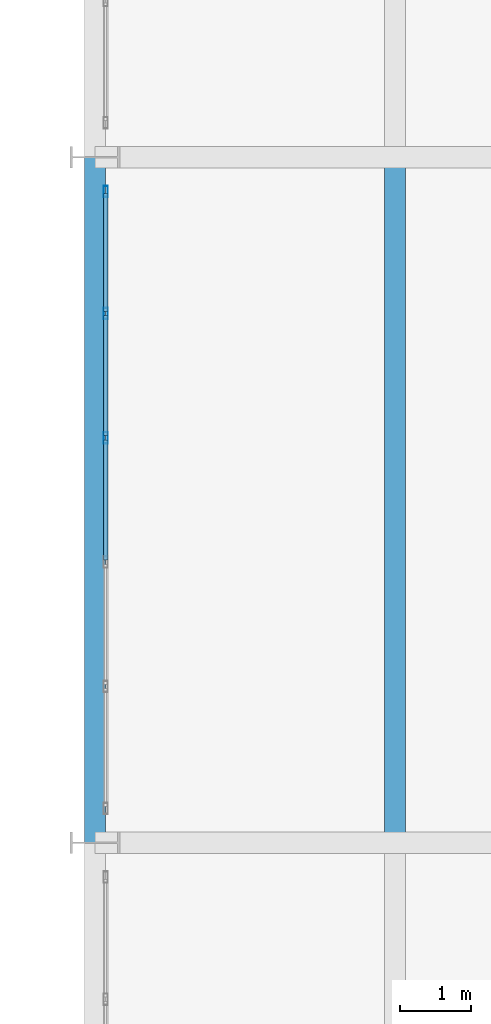
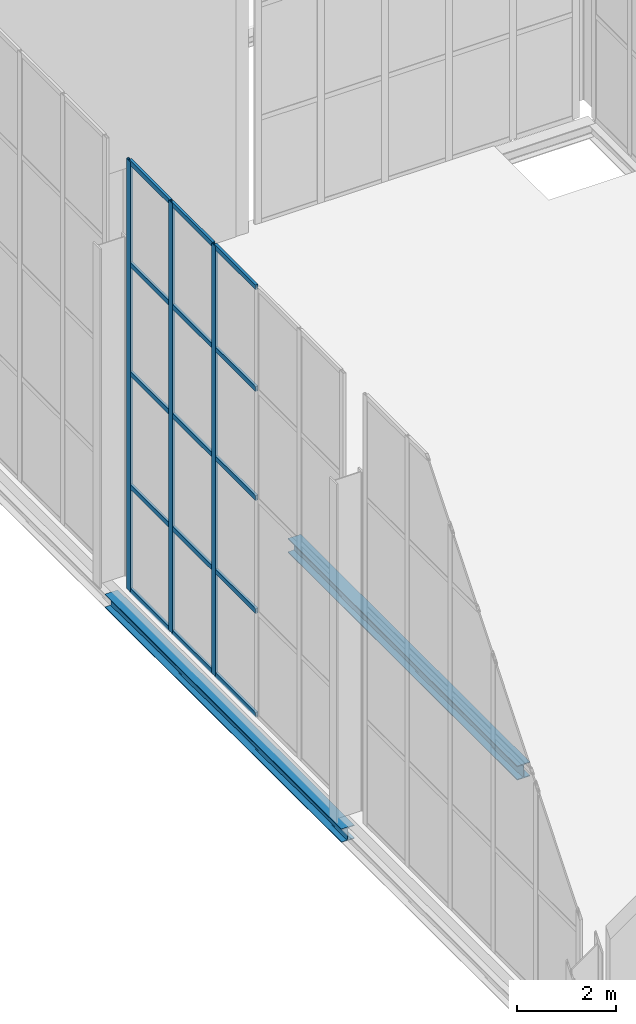
# One storey, part 48 of 131: 18 members, 2 beams, 1 element without a shape of its own.
"""IFC4 building model written with IfcOpenShell, lengths in metres."""

import ifcopenshell
import ifcopenshell.guid

model = None  # the IFC model being written
_history = None  # IfcOwnerHistory: only IFC2X3 demands one
_inside = {}  # id of a spatial element -> (the spatial element, [elements in it])
_under = {}  # id of a project, library or spatial element -> (it, [spatial elements below it])
_declared = {}  # id of a project -> (the project, [libraries it declares])
_typed = {}  # id of a type object -> (the type object, [elements of that type])
_made_of = {}  # id of a material, layer set ... -> (it, [elements and type objects made of it])


def new_model(schema):
    """Start an empty IFC model of exactly this schema.

    Asked for "IFC4X3", IfcOpenShell would pick the latest addendum, in which some entities
    have other attributes; the version numbers below select the first issue.
    IFC2X3 requires an IfcOwnerHistory on every rooted entity: one is made here for all.
    """
    global model, _history
    if schema == "IFC4X3":
        model = ifcopenshell.file(schema_version=(4, 3, 0, 0))
    else:
        model = ifcopenshell.file(schema=schema)
    _inside.clear()
    _under.clear()
    _declared.clear()
    _typed.clear()
    _made_of.clear()
    _history = None
    if model.schema == "IFC2X3":
        org = make("IfcOrganization", Name="unknown")
        user = make(
            "IfcPersonAndOrganization",
            ThePerson=make("IfcPerson", FamilyName="unknown"),
            TheOrganization=org,
        )
        app = make(
            "IfcApplication",
            ApplicationDeveloper=org,
            Version="unknown",
            ApplicationFullName="unknown",
            ApplicationIdentifier="unknown",
        )
        _history = make(
            "IfcOwnerHistory",
            OwningUser=user,
            OwningApplication=app,
            ChangeAction="ADDED",
            CreationDate=0,
        )
    return model


def make(cls, **values):
    """One entity of the class cls with the attributes given. An attribute that is None is left unset."""
    return model.create_entity(
        cls, **{name: value for name, value in values.items() if value is not None}
    )


def rooted(cls, **values):
    """An entity with a GlobalId (a new one), such as an element, a storey or a relation."""
    return make(cls, GlobalId=ifcopenshell.guid.new(), OwnerHistory=_history, **values)


def si_unit(unit_type, name, prefix=None):
    """IfcSIUnit, for example si_unit("LENGTHUNIT", "METRE", prefix="MILLI")."""
    return make("IfcSIUnit", UnitType=unit_type, Prefix=prefix, Name=name)


def assignment(units):
    """IfcUnitAssignment: the units of a project."""
    return None if units is None else make("IfcUnitAssignment", Units=units)


def point(xyz):
    """IfcCartesianPoint."""
    return None if xyz is None else make("IfcCartesianPoint", Coordinates=xyz)


def direction(xyz):
    """IfcDirection."""
    return None if xyz is None else make("IfcDirection", DirectionRatios=xyz)


def frame(location, z_axis=None, x_axis=None):
    """IfcAxis2Placement3D, a coordinate frame: its origin and axes. An axis left out is left unset."""
    return make(
        "IfcAxis2Placement3D",
        Location=point(location),
        Axis=direction(z_axis),
        RefDirection=direction(x_axis),
    )


def frame_2d(location, x_axis=None):
    """IfcAxis2Placement2D, a coordinate frame in the plane: its origin and x axis."""
    return make(
        "IfcAxis2Placement2D", Location=point(location), RefDirection=direction(x_axis)
    )


def origin():
    """The frame at (0, 0, 0) with its axes left unset."""
    return frame((0.0, 0.0, 0.0))


def origin_2d():
    """The frame at (0, 0) in the plane with its x axis left unset."""
    return frame_2d((0.0, 0.0))


def place(relative_to, where):
    """IfcLocalPlacement: puts the frame where relative to a parent placement (None: the world)."""
    return make(
        "IfcLocalPlacement", PlacementRelTo=relative_to, RelativePlacement=where
    )


def context(
    kind, dimensions, precision=None, world=None, true_north=None, identifier=None
):
    """IfcGeometricRepresentationContext, for example the 3D "Model" context."""
    return make(
        "IfcGeometricRepresentationContext",
        ContextIdentifier=identifier,
        ContextType=kind,
        CoordinateSpaceDimension=dimensions,
        Precision=precision,
        WorldCoordinateSystem=world,
        TrueNorth=true_north,
    )


def subcontext(parent, identifier, kind, view, scale=None):
    """IfcGeometricRepresentationSubContext, for example "Body" below "Model"."""
    return make(
        "IfcGeometricRepresentationSubContext",
        ContextIdentifier=identifier,
        ContextType=kind,
        ParentContext=parent,
        TargetScale=scale,
        TargetView=view,
    )


def project(units=None, contexts=None):
    """IfcProject with its units and contexts."""
    return rooted(
        "IfcProject",
        Name="project",
        RepresentationContexts=contexts,
        UnitsInContext=assignment(units),
    )


def spatial(cls, under=None, at=None, **own):
    """A site, building, storey or space (cls), placed at a placement, below another one or the project."""
    s = rooted(cls, ObjectPlacement=at, **own)
    if under is not None:
        _under.setdefault(under.id(), (under, []))[1].append(s)
    return s


def profile(cls, at=None, kind="AREA", **sizes):
    """A parametric profile (cls). Its sizes go by their IFC names, for example OverallWidth=200.0."""
    return make(cls, ProfileType=kind, Position=at, **sizes)


def hollow_rectangle(**sizes):
    """IfcRectangleHollowProfileDef."""
    return profile("IfcRectangleHollowProfileDef", **sizes)


def i_section(**sizes):
    """IfcIShapeProfileDef."""
    return profile("IfcIShapeProfileDef", **sizes)


def extrude(swept, where, along, depth):
    """IfcExtrudedAreaSolid: the profile swept, set in the frame where, extruded along a direction by depth."""
    return make(
        "IfcExtrudedAreaSolid",
        SweptArea=swept,
        Position=where,
        ExtrudedDirection=direction(along),
        Depth=depth,
    )


def shape(context_of_items, identifier, shape_type, items):
    """IfcShapeRepresentation: the items that make up one representation, for example the "Body"."""
    return make(
        "IfcShapeRepresentation",
        ContextOfItems=context_of_items,
        RepresentationIdentifier=identifier,
        RepresentationType=shape_type,
        Items=items,
    )


def material(Name=None, Category=None):
    """IfcMaterial."""
    return make("IfcMaterial", Name=Name, Category=Category)


def material_profile(
    of_material, cross_section, Name=None, Category=None, Priority=None
):
    """IfcMaterialProfile: a cross section and its material."""
    return make(
        "IfcMaterialProfile",
        Name=Name,
        Material=of_material,
        Profile=cross_section,
        Priority=Priority,
        Category=Category,
    )


def profile_set(profiles, Name=None, composite=None):
    """IfcMaterialProfileSet."""
    return make(
        "IfcMaterialProfileSet",
        Name=Name,
        MaterialProfiles=profiles,
        CompositeProfile=composite,
    )


def made_of(thing, what):
    """Note that an element or type object is made of a material, layer set ...; save() writes the relation."""
    if what is not None:
        _made_of.setdefault(what.id(), (what, []))[1].append(thing)
    return thing


def type_object(cls, material=None, **own):
    """A type object (cls), such as IfcWallType, which elements share."""
    return made_of(rooted(cls, **own), material)


def element(
    cls,
    number,
    at=None,
    inside=None,
    cuts=None,
    type_object=None,
    material=None,
    context=None,
    identifier="Body",
    shape_type=None,
    held_by="IfcProductDefinitionShape",
    body=None,
    shapes=None,
    **own,
):
    """One element of the class cls, such as IfcWall. Its Tag is "e" and its number.

    at: its placement. inside: the storey or other place that contains it. cuts: it is an
    opening in that element (IfcRelVoidsElement). A single representation is given by context,
    identifier, shape_type and body (its items); several are given by shapes. held_by: the class
    of the entity that holds the representations. save() writes the other relations.
    """
    e = rooted(cls, Tag="e%d" % number, ObjectPlacement=at, **own)
    if body is not None:
        shapes = [shape(context, identifier, shape_type, body)]
    if shapes is not None:
        e.Representation = make(held_by, Representations=shapes)
    if inside is not None:
        _inside.setdefault(inside.id(), (inside, []))[1].append(e)
    if cuts is not None:
        rooted(
            "IfcRelVoidsElement", RelatingBuildingElement=cuts, RelatedOpeningElement=e
        )
    if type_object is not None:
        _typed.setdefault(type_object.id(), (type_object, []))[1].append(e)
    return made_of(e, material)


def aggregate(whole, parts):
    """IfcRelAggregates: a whole, such as a stair, and the parts it consists of."""
    return rooted("IfcRelAggregates", RelatingObject=whole, RelatedObjects=parts)


def save(model, path):
    """Write the relations noted so far, then the file.

    IfcRelAggregates (storeys below a building ...), IfcRelContainedInSpatialStructure (elements
    in a storey), IfcRelDefinesByType, IfcRelAssociatesMaterial and IfcRelDeclares: one each for
    every whole, place, type object, material and project.
    """
    for whole, parts in _under.values():
        aggregate(whole, parts)
    for where, things in _inside.values():
        rooted(
            "IfcRelContainedInSpatialStructure",
            RelatedElements=things,
            RelatingStructure=where,
        )
    for kind, things in _typed.values():
        rooted("IfcRelDefinesByType", RelatedObjects=things, RelatingType=kind)
    for what, things in _made_of.values():
        rooted("IfcRelAssociatesMaterial", RelatedObjects=things, RelatingMaterial=what)
    for by, libraries in _declared.values():
        rooted("IfcRelDeclares", RelatingContext=by, RelatedDefinitions=libraries)
    model.write(path)


model = new_model("IFC4")

# Units and contexts
model_context = context("Model", 3, precision=1e-05, world=origin(), true_north=direction((0.0, 1.0)))
body_context = subcontext(model_context, "Body", "Model", "MODEL_VIEW")
ifc_project = project(units=[si_unit("LENGTHUNIT", "METRE"), si_unit("AREAUNIT", "SQUARE_METRE"), si_unit("VOLUMEUNIT", "CUBIC_METRE"), si_unit("PLANEANGLEUNIT", "RADIAN"), si_unit("MASSUNIT", "GRAM", prefix="KILO")], contexts=[model_context])

# Site, building, storey
site_placement = place(None, origin())
site = spatial("IfcSite", under=ifc_project, at=site_placement, CompositionType="ELEMENT")
building_placement = place(site_placement, origin())
building = spatial("IfcBuilding", under=site, at=building_placement, Name="Veltarok Museum of Natural Sciences", CompositionType="ELEMENT")
storey_placement = place(building_placement, origin())
storey = spatial("IfcBuildingStorey", under=building, at=storey_placement, Name="L00", CompositionType="ELEMENT", Elevation=0.0)

# Curtain wall, members
ifc_material_1 = material(Name="Low-iron triple insulated glass", Category="glass")
curtain_wall_type = type_object("IfcCurtainWallType", Name="Curtain Wall System CW-PAS-NW-JK-870x1065 (Sculpture Court Passage J-K 870x1065cm)", PredefinedType="NOTDEFINED", material=ifc_material_1)
curtain_wall_placement = place(storey_placement, origin())
curtain_wall = element("IfcCurtainWall", 1, at=curtain_wall_placement, inside=storey, type_object=curtain_wall_type, Name="Curtain Wall CW-PAS-NW-JK-870x1065 CW-0025", PredefinedType="NOTDEFINED")
ifc_material_2 = material(Name="Thermally broken anodised aluminium", Category="aluminium")
ifc_material_profile_1 = material_profile(ifc_material_2, hollow_rectangle(XDim=0.06005859375, YDim=0.1201171875, WallThickness=0.0048828125, at=origin_2d()), Name="CW TRANSOM 60x120x5")
ifc_profile_set_1 = profile_set([ifc_material_profile_1], Name="Thermally broken anodised aluminium")
member_type_1 = type_object("IfcMemberType", Name="Curtain Wall Horizontal Transom 60x120x5", PredefinedType="USERDEFINED", material=ifc_profile_set_1)
member_1_placement = place(storey_placement, frame((31.75, 85.56005859375, 0.030029296875), z_axis=(0.0, 1.0, 0.0), x_axis=(-1.0, 0.0, 0.0)))
member_1 = element("IfcMember", 2, at=member_1_placement, type_object=member_type_1, Name="CW-PAS-NW-JK-870x1065 transom 3.1", ObjectType="TRANSOM", PredefinedType="USERDEFINED", context=body_context, shape_type="SweptSolid", body=[
    extrude(hollow_rectangle(XDim=0.06005859375, YDim=0.1201171875, WallThickness=0.0048828125, at=origin_2d()), origin(), (0.0, 0.0, 1.0), 1.679931640625),
])
member_2_placement = place(storey_placement, frame((31.75, 85.56005859375, 2.60009765625), z_axis=(0.0, 1.0, 0.0), x_axis=(-1.0, 0.0, 0.0)))
member_2 = element("IfcMember", 3, at=member_2_placement, type_object=member_type_1, Name="CW-PAS-NW-JK-870x1065 transom 3.2", ObjectType="TRANSOM", PredefinedType="USERDEFINED", context=body_context, shape_type="SweptSolid", body=[
    extrude(hollow_rectangle(XDim=0.06005859375, YDim=0.1201171875, WallThickness=0.0048828125, at=origin_2d()), origin(), (0.0, 0.0, 1.0), 1.679931640625),
])
member_3_placement = place(storey_placement, frame((31.75, 85.56005859375, 5.39990234375), z_axis=(0.0, 1.0, 0.0), x_axis=(-1.0, 0.0, 0.0)))
member_3 = element("IfcMember", 4, at=member_3_placement, type_object=member_type_1, Name="CW-PAS-NW-JK-870x1065 transom 3.3", ObjectType="TRANSOM", PredefinedType="USERDEFINED", context=body_context, shape_type="SweptSolid", body=[
    extrude(hollow_rectangle(XDim=0.06005859375, YDim=0.1201171875, WallThickness=0.0048828125, at=origin_2d()), origin(), (0.0, 0.0, 1.0), 1.679931640625),
])
member_4_placement = place(storey_placement, frame((31.75, 85.56005859375, 8.10009765625), z_axis=(0.0, 1.0, 0.0), x_axis=(-1.0, 0.0, 0.0)))
member_4 = element("IfcMember", 5, at=member_4_placement, type_object=member_type_1, Name="CW-PAS-NW-JK-870x1065 transom 3.4", ObjectType="TRANSOM", PredefinedType="USERDEFINED", context=body_context, shape_type="SweptSolid", body=[
    extrude(hollow_rectangle(XDim=0.06005859375, YDim=0.1201171875, WallThickness=0.0048828125, at=origin_2d()), origin(), (0.0, 0.0, 1.0), 1.679931640625),
])
member_5_placement = place(storey_placement, frame((31.75, 85.56005859375, 10.6201171875), z_axis=(0.0, 1.0, 0.0), x_axis=(-1.0, 0.0, 0.0)))
member_5 = element("IfcMember", 6, at=member_5_placement, type_object=member_type_1, Name="CW-PAS-NW-JK-870x1065 transom 3.5", ObjectType="TRANSOM", PredefinedType="USERDEFINED", context=body_context, shape_type="SweptSolid", body=[
    extrude(hollow_rectangle(XDim=0.06005859375, YDim=0.1201171875, WallThickness=0.0048828125, at=origin_2d()), origin(), (0.0, 0.0, 1.0), 1.679931640625),
])
member_6_placement = place(storey_placement, frame((31.75, 87.300048828125, 0.030029296875), z_axis=(0.0, 1.0, 0.0), x_axis=(-1.0, 0.0, 0.0)))
member_6 = element("IfcMember", 7, at=member_6_placement, type_object=member_type_1, Name="CW-PAS-NW-JK-870x1065 transom 4.1", ObjectType="TRANSOM", PredefinedType="USERDEFINED", context=body_context, shape_type="SweptSolid", body=[
    extrude(hollow_rectangle(XDim=0.06005859375, YDim=0.1201171875, WallThickness=0.0048828125, at=origin_2d()), origin(), (0.0, 0.0, 1.0), 1.679931640625),
])
member_7_placement = place(storey_placement, frame((31.75, 87.300048828125, 2.60009765625), z_axis=(0.0, 1.0, 0.0), x_axis=(-1.0, 0.0, 0.0)))
member_7 = element("IfcMember", 8, at=member_7_placement, type_object=member_type_1, Name="CW-PAS-NW-JK-870x1065 transom 4.2", ObjectType="TRANSOM", PredefinedType="USERDEFINED", context=body_context, shape_type="SweptSolid", body=[
    extrude(hollow_rectangle(XDim=0.06005859375, YDim=0.1201171875, WallThickness=0.0048828125, at=origin_2d()), origin(), (0.0, 0.0, 1.0), 1.679931640625),
])
member_8_placement = place(storey_placement, frame((31.75, 87.300048828125, 5.39990234375), z_axis=(0.0, 1.0, 0.0), x_axis=(-1.0, 0.0, 0.0)))
member_8 = element("IfcMember", 9, at=member_8_placement, type_object=member_type_1, Name="CW-PAS-NW-JK-870x1065 transom 4.3", ObjectType="TRANSOM", PredefinedType="USERDEFINED", context=body_context, shape_type="SweptSolid", body=[
    extrude(hollow_rectangle(XDim=0.06005859375, YDim=0.1201171875, WallThickness=0.0048828125, at=origin_2d()), origin(), (0.0, 0.0, 1.0), 1.679931640625),
])
member_9_placement = place(storey_placement, frame((31.75, 87.300048828125, 8.10009765625), z_axis=(0.0, 1.0, 0.0), x_axis=(-1.0, 0.0, 0.0)))
member_9 = element("IfcMember", 10, at=member_9_placement, type_object=member_type_1, Name="CW-PAS-NW-JK-870x1065 transom 4.4", ObjectType="TRANSOM", PredefinedType="USERDEFINED", context=body_context, shape_type="SweptSolid", body=[
    extrude(hollow_rectangle(XDim=0.06005859375, YDim=0.1201171875, WallThickness=0.0048828125, at=origin_2d()), origin(), (0.0, 0.0, 1.0), 1.679931640625),
])
member_10_placement = place(storey_placement, frame((31.75, 87.300048828125, 10.6201171875), z_axis=(0.0, 1.0, 0.0), x_axis=(-1.0, 0.0, 0.0)))
member_10 = element("IfcMember", 11, at=member_10_placement, type_object=member_type_1, Name="CW-PAS-NW-JK-870x1065 transom 4.5", ObjectType="TRANSOM", PredefinedType="USERDEFINED", context=body_context, shape_type="SweptSolid", body=[
    extrude(hollow_rectangle(XDim=0.06005859375, YDim=0.1201171875, WallThickness=0.0048828125, at=origin_2d()), origin(), (0.0, 0.0, 1.0), 1.679931640625),
])
member_11_placement = place(storey_placement, frame((31.75, 89.0400390625, 0.030029296875), z_axis=(0.0, 1.0, 0.0), x_axis=(-1.0, 0.0, 0.0)))
member_11 = element("IfcMember", 12, at=member_11_placement, type_object=member_type_1, Name="CW-PAS-NW-JK-870x1065 transom 5.1", ObjectType="TRANSOM", PredefinedType="USERDEFINED", context=body_context, shape_type="SweptSolid", body=[
    extrude(hollow_rectangle(XDim=0.06005859375, YDim=0.1201171875, WallThickness=0.0048828125, at=origin_2d()), origin(), (0.0, 0.0, 1.0), 1.64990234375),
])
member_12_placement = place(storey_placement, frame((31.75, 89.0400390625, 2.60009765625), z_axis=(0.0, 1.0, 0.0), x_axis=(-1.0, 0.0, 0.0)))
member_12 = element("IfcMember", 13, at=member_12_placement, type_object=member_type_1, Name="CW-PAS-NW-JK-870x1065 transom 5.2", ObjectType="TRANSOM", PredefinedType="USERDEFINED", context=body_context, shape_type="SweptSolid", body=[
    extrude(hollow_rectangle(XDim=0.06005859375, YDim=0.1201171875, WallThickness=0.0048828125, at=origin_2d()), origin(), (0.0, 0.0, 1.0), 1.64990234375),
])
member_13_placement = place(storey_placement, frame((31.75, 89.0400390625, 5.39990234375), z_axis=(0.0, 1.0, 0.0), x_axis=(-1.0, 0.0, 0.0)))
member_13 = element("IfcMember", 14, at=member_13_placement, type_object=member_type_1, Name="CW-PAS-NW-JK-870x1065 transom 5.3", ObjectType="TRANSOM", PredefinedType="USERDEFINED", context=body_context, shape_type="SweptSolid", body=[
    extrude(hollow_rectangle(XDim=0.06005859375, YDim=0.1201171875, WallThickness=0.0048828125, at=origin_2d()), origin(), (0.0, 0.0, 1.0), 1.64990234375),
])
member_14_placement = place(storey_placement, frame((31.75, 89.0400390625, 8.10009765625), z_axis=(0.0, 1.0, 0.0), x_axis=(-1.0, 0.0, 0.0)))
member_14 = element("IfcMember", 15, at=member_14_placement, type_object=member_type_1, Name="CW-PAS-NW-JK-870x1065 transom 5.4", ObjectType="TRANSOM", PredefinedType="USERDEFINED", context=body_context, shape_type="SweptSolid", body=[
    extrude(hollow_rectangle(XDim=0.06005859375, YDim=0.1201171875, WallThickness=0.0048828125, at=origin_2d()), origin(), (0.0, 0.0, 1.0), 1.64990234375),
])
member_15_placement = place(storey_placement, frame((31.75, 89.0400390625, 10.6201171875), z_axis=(0.0, 1.0, 0.0), x_axis=(-1.0, 0.0, 0.0)))
member_15 = element("IfcMember", 16, at=member_15_placement, type_object=member_type_1, Name="CW-PAS-NW-JK-870x1065 transom 5.5", ObjectType="TRANSOM", PredefinedType="USERDEFINED", context=body_context, shape_type="SweptSolid", body=[
    extrude(hollow_rectangle(XDim=0.06005859375, YDim=0.1201171875, WallThickness=0.0048828125, at=origin_2d()), origin(), (0.0, 0.0, 1.0), 1.64990234375),
])
ifc_material_profile_2 = material_profile(ifc_material_2, hollow_rectangle(XDim=0.06005859375, YDim=0.159912109375, WallThickness=0.0048828125, at=origin_2d()), Name="CW MULLION 60x160x5")
ifc_profile_set_2 = profile_set([ifc_material_profile_2], Name="Thermally broken anodised aluminium")
member_type_2 = type_object("IfcMemberType", Name="Curtain Wall Vertical Mullion 60x160x5", PredefinedType="MULLION", material=ifc_profile_set_2)
member_16_placement = place(storey_placement, frame((31.75, 87.27001953125, 0.0), z_axis=(0.0, 0.0, 1.0), x_axis=(-1.0, 0.0, 0.0)))
member_16 = element("IfcMember", 17, at=member_16_placement, type_object=member_type_2, Name="CW-PAS-NW-JK-870x1065 mullion 4", PredefinedType="MULLION", context=body_context, shape_type="SweptSolid", body=[
    extrude(hollow_rectangle(XDim=0.06005859375, YDim=0.159912109375, WallThickness=0.0048828125, at=origin_2d()), origin(), (0.0, 0.0, 1.0), 10.64990234375),
])
member_17_placement = place(storey_placement, frame((31.75, 89.010009765625, 0.0), z_axis=(0.0, 0.0, 1.0), x_axis=(-1.0, 0.0, 0.0)))
member_17 = element("IfcMember", 18, at=member_17_placement, type_object=member_type_2, Name="CW-PAS-NW-JK-870x1065 mullion 5", PredefinedType="MULLION", context=body_context, shape_type="SweptSolid", body=[
    extrude(hollow_rectangle(XDim=0.06005859375, YDim=0.159912109375, WallThickness=0.0048828125, at=origin_2d()), origin(), (0.0, 0.0, 1.0), 10.64990234375),
])
member_18_placement = place(storey_placement, frame((31.75, 90.719970703125, 0.0), z_axis=(0.0, 0.0, 1.0), x_axis=(-1.0, 0.0, 0.0)))
member_18 = element("IfcMember", 19, at=member_18_placement, type_object=member_type_2, Name="CW-PAS-NW-JK-870x1065 mullion 6", PredefinedType="MULLION", context=body_context, shape_type="SweptSolid", body=[
    extrude(hollow_rectangle(XDim=0.06005859375, YDim=0.159912109375, WallThickness=0.0048828125, at=origin_2d()), origin(), (0.0, 0.0, 1.0), 10.64990234375),
])
aggregate(curtain_wall, [member_16, member_17, member_18, member_1, member_2, member_3, member_4, member_5, member_6, member_7, member_8, member_9, member_10, member_11, member_12, member_13, member_14, member_15])

# Beams
ifc_material_3 = material(Name="Steel S355J2", Category="steel")
ifc_material_profile_3 = material_profile(ifc_material_3, i_section(OverallWidth=0.300048828125, OverallDepth=0.35009765625, WebThickness=0.010009765625, FlangeThickness=0.017578125, FilletRadius=0.027099609375, at=origin_2d()), Name="HEA 360")
ifc_profile_set_3 = profile_set([ifc_material_profile_3], Name="Steel S355J2")
beam_type_1 = type_object("IfcBeamType", Name="Long-Span Gallery Joist HEA 360", PredefinedType="JOIST", material=ifc_profile_set_3)
beam_1_placement = place(storey_placement, frame((35.800048828125, 81.748046875, -0.47509765625), z_axis=(0.0, 1.0, 0.0), x_axis=(-1.0, 0.0, 0.0)))
element("IfcBeam", 20, at=beam_1_placement, inside=storey, type_object=beam_type_1, Name="Secondary Joist BM-J07 L00 4-5/J-K.1", PredefinedType="JOIST", context=body_context, shape_type="SweptSolid", body=[
    extrude(i_section(OverallWidth=0.300048828125, OverallDepth=0.35009765625, WebThickness=0.010009765625, FlangeThickness=0.017578125, FilletRadius=0.027099609375, at=origin_2d()), origin(), (0.0, 0.0, 1.0), 9.303955078125),
])
ifc_material_profile_4 = material_profile(ifc_material_3, i_section(OverallWidth=0.300048828125, OverallDepth=0.340087890625, WebThickness=0.011962890625, FlangeThickness=0.021484375, FilletRadius=0.027099609375, at=origin_2d()), Name="HEB 340")
ifc_profile_set_4 = profile_set([ifc_material_profile_4], Name="Steel S355J2")
beam_type_2 = type_object("IfcBeamType", Name="Perimeter Bridge Spandrel HEB 340", PredefinedType="SPANDREL", material=ifc_profile_set_4)
beam_2_placement = place(storey_placement, frame((31.60009765625, 81.60009765625, -0.469970703125), z_axis=(0.0, 1.0, 0.0), x_axis=(-1.0, 0.0, 0.0)))
element("IfcBeam", 21, at=beam_2_placement, inside=storey, type_object=beam_type_2, Name="Beam BM-SP07 L00 4/J-K", PredefinedType="SPANDREL", context=body_context, shape_type="SweptSolid", body=[
    extrude(i_section(OverallWidth=0.300048828125, OverallDepth=0.340087890625, WebThickness=0.011962890625, FlangeThickness=0.021484375, FilletRadius=0.027099609375, at=origin_2d()), origin(), (0.0, 0.0, 1.0), 9.599853515625),
])

save(model, "model.ifc")
